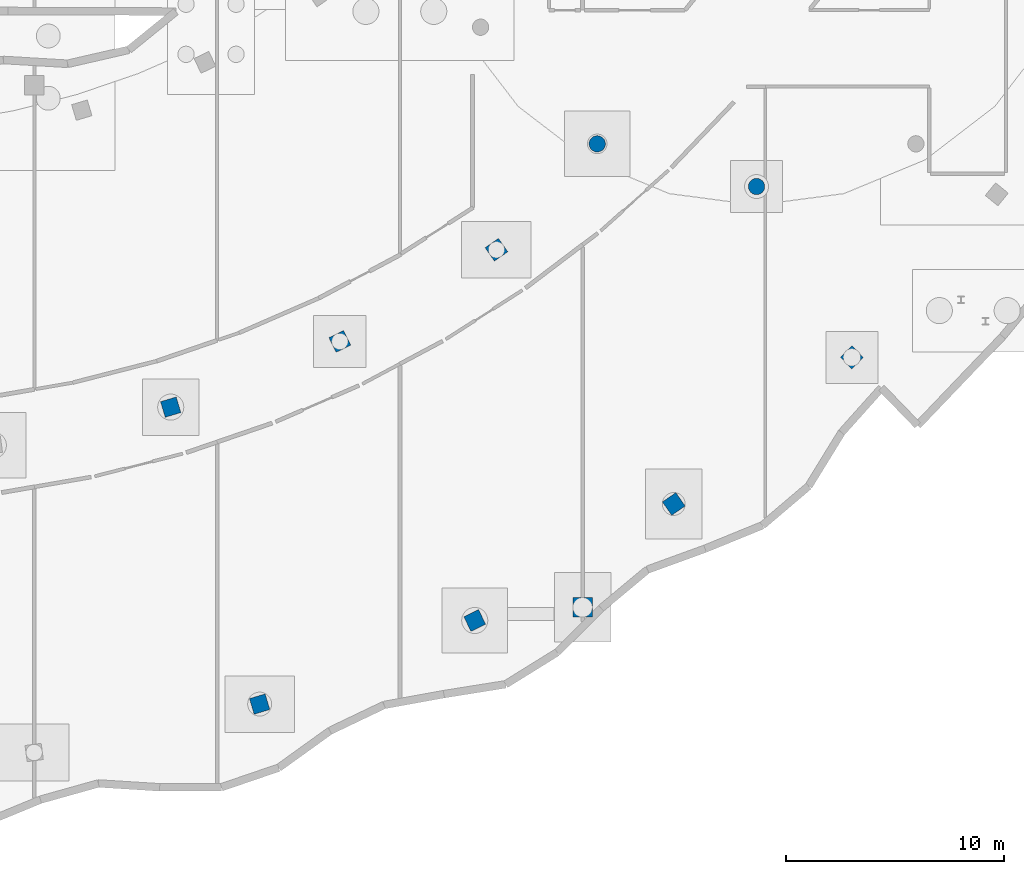
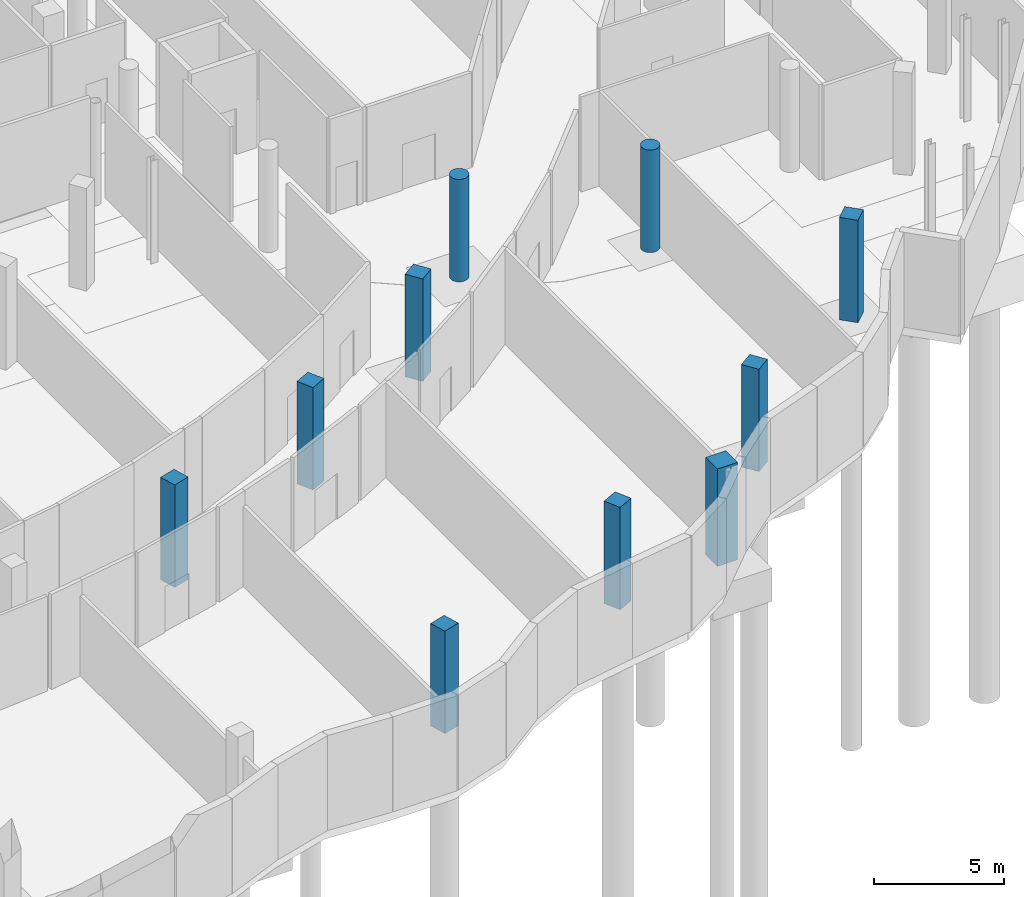
# One storey, part 13 of 45: 10 columns.
"""IFC4 building model written with IfcOpenShell, lengths in metres."""

from ifc_helpers import new_model, si_unit, direction, frame, origin, origin_2d, place, context, subcontext, project, spatial, rectangle, circle, extrude, material, material_profile, profile_set, type_object, element, save


model = new_model("IFC4")

# Units and contexts
model_context = context("Model", 3, precision=1e-05, world=origin(), true_north=direction((0.0, 1.0)))
body_context = subcontext(model_context, "Body", "Model", "MODEL_VIEW")
ifc_project = project(units=[si_unit("LENGTHUNIT", "METRE"), si_unit("AREAUNIT", "SQUARE_METRE"), si_unit("VOLUMEUNIT", "CUBIC_METRE"), si_unit("PLANEANGLEUNIT", "RADIAN"), si_unit("MASSUNIT", "GRAM", prefix="KILO")], contexts=[model_context])

# Site, building, storey
site_placement = place(None, origin())
site = spatial("IfcSite", under=ifc_project, at=site_placement, CompositionType="ELEMENT")
building_placement = place(site_placement, origin())
building = spatial("IfcBuilding", under=site, at=building_placement, Name="Selatvlak General Hospital", CompositionType="ELEMENT")
storey_placement = place(building_placement, frame((0.0, 0.0, -4.800048828125)))
storey = spatial("IfcBuildingStorey", under=building, at=storey_placement, Name="B1", CompositionType="ELEMENT", Elevation=-4.800048828125)

# Columns
ifc_material = material(Name="Concrete C50/60", Category="concrete")
ifc_material_profile_1 = material_profile(ifc_material, rectangle(XDim=0.75, YDim=0.75, at=origin_2d()), Name="RC-COL 750x750")
ifc_profile_set_1 = profile_set([ifc_material_profile_1], Name="Concrete C50/60")
column_type_1 = type_object("IfcColumnType", Name="COL-RC75", PredefinedType="COLUMN", material=ifc_profile_set_1)
for number, where, z_axis, x_axis, name in (
    (1, (71.06689453125, 29.208984375, 0.0), (0.0, 0.0, 1.0), (-0.286858965796, 0.957972825159, 0.0), "Column 329 on B1"),
    (2, (75.155029296875, 15.556884765625, 0.0), (0.0, 0.0, 1.0), (-0.286858965796, 0.957972825159, 0.0), "Column 330 on B1"),
    (3, (78.842041015625, 32.22998046875, 0.0), (0.0, 0.0, 1.0), (-0.435199672053, 0.900333963285, 0.0), "Column 332 on B1"),
    (4, (85.0439453125, 19.39990234375, 0.0), (0.0, 0.0, 1.0), (-0.435199672053, 0.900333963285, 0.0), "Column 333 on B1"),
    (5, (86.041015625, 36.444091796875, 0.0), (0.0, 0.0, 1.0), (-0.572188815713, 0.820121917262, 0.0), "Column 335 on B1"),
    (6, (94.195068359375, 24.757080078125, 0.0), (0.0, 0.0, 1.0), (-0.572188815713, 0.820121917262, 0.0), "Column 336 on B1"),
    (7, (102.383056640625, 31.4970703125, 0.0), (0.0, 0.0, 1.0), (-0.694834117591, 0.719170041806, 0.0), "Column 337 on B1"),
):
    element("IfcColumn", number, at=place(storey_placement, frame(where, z_axis=z_axis, x_axis=x_axis)), inside=storey, type_object=column_type_1, Name=name, PredefinedType="COLUMN", context=body_context, shape_type="SweptSolid", body=[
        extrude(rectangle(XDim=0.75, YDim=0.75, at=origin_2d()), origin(), (0.0, 0.0, 1.0), 4.800048828125),
    ])
ifc_material_profile_2 = material_profile(ifc_material, rectangle(XDim=0.89990234375, YDim=0.89990234375, at=origin_2d()), Name="RC-COL 900x900")
ifc_profile_set_2 = profile_set([ifc_material_profile_2], Name="Concrete C50/60")
column_type_2 = type_object("IfcColumnType", Name="COL-RC90", PredefinedType="COLUMN", material=ifc_profile_set_2)
column_placement = place(storey_placement, frame((90.0, 20.0, 0.0), z_axis=(0.0, 0.0, 1.0), x_axis=(1.0, 0.0, 0.0)))
element("IfcColumn", 8, at=column_placement, inside=storey, type_object=column_type_2, Name="Column 207 on B1", PredefinedType="COLUMN", context=body_context, shape_type="SweptSolid", body=[
    extrude(rectangle(XDim=0.89990234375, YDim=0.89990234375, at=origin_2d()), origin(), (0.0, 0.0, 1.0), 4.56494140625),
])
ifc_material_profile_3 = material_profile(ifc_material, circle(Radius=0.375, at=origin_2d()), Name="RC-COL D750")
ifc_profile_set_3 = profile_set([ifc_material_profile_3], Name="Concrete C50/60")
column_type_3 = type_object("IfcColumnType", Name="COL-RCD75", PredefinedType="COLUMN", material=ifc_profile_set_3)
for number, where, z_axis, x_axis, name in (
    (9, (90.675048828125, 41.31298828125, 0.0), (0.0, 0.0, 1.0), (-0.5, -0.866025403784, 0.0), "Column 033 on B1"),
    (10, (98.0, 39.35009765625, 0.0), (0.0, 0.0, 1.0), (0.0, -1.0, 0.0), "Column 034 on B1"),
):
    element("IfcColumn", number, at=place(storey_placement, frame(where, z_axis=z_axis, x_axis=x_axis)), inside=storey, type_object=column_type_3, Name=name, PredefinedType="COLUMN", context=body_context, shape_type="SweptSolid", body=[
        extrude(circle(Radius=0.375, at=origin_2d()), origin(), (0.0, 0.0, 1.0), 4.800048828125),
    ])

save(model, "model.ifc")
